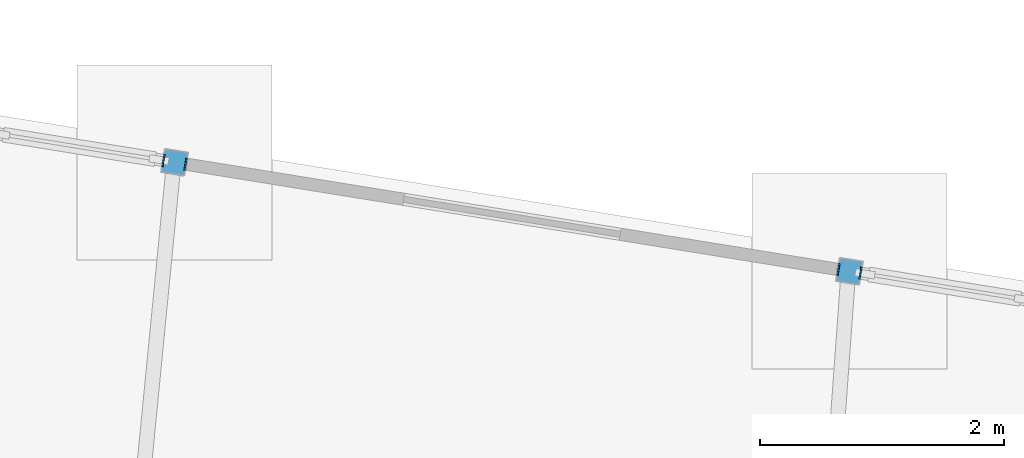
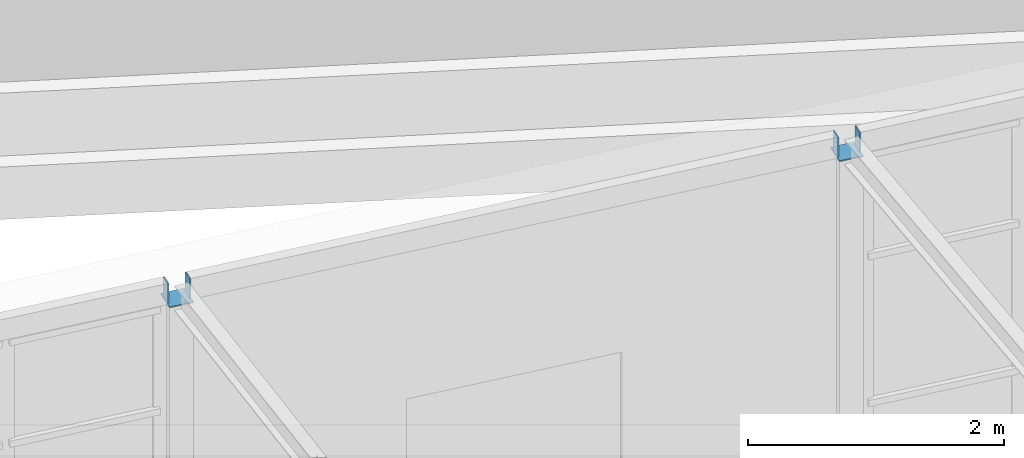
# One storey, part 207 of 226: 6 discrete accessories.
"""IFC4 building model written with IfcOpenShell, lengths in metres."""

from ifc_helpers import new_model, si_unit, direction, frame, origin, origin_2d, place, context, subcontext, project, spatial, rectangle, extrude, material, material_profile, profile_set, type_object, element, save


model = new_model("IFC4")

# Units and contexts
model_context = context("Model", 3, precision=1e-05, world=origin(), true_north=direction((0.0, 1.0)))
body_context = subcontext(model_context, "Body", "Model", "MODEL_VIEW")
ifc_project = project(units=[si_unit("LENGTHUNIT", "METRE"), si_unit("AREAUNIT", "SQUARE_METRE"), si_unit("VOLUMEUNIT", "CUBIC_METRE"), si_unit("PLANEANGLEUNIT", "RADIAN"), si_unit("MASSUNIT", "GRAM", prefix="KILO")], contexts=[model_context])

# Site, building, storey
site_placement = place(None, origin())
site = spatial("IfcSite", under=ifc_project, at=site_placement, CompositionType="ELEMENT")
building_placement = place(site_placement, origin())
building = spatial("IfcBuilding", under=site, at=building_placement, Name="Ceibo Conservatory and Research Tower", CompositionType="ELEMENT")
storey_placement = place(building_placement, origin())
storey = spatial("IfcBuildingStorey", under=building, at=storey_placement, Name="L00", CompositionType="ELEMENT", Elevation=0.0)

# Discrete accessories
ifc_material = material(Name="Steel S355J2", Category="steel")
ifc_material_profile_1 = material_profile(ifc_material, rectangle(XDim=0.10009765625, YDim=0.199951171875, at=origin_2d()), Name="End plate PL 200x100x8")
ifc_profile_set_1 = profile_set([ifc_material_profile_1], Name="Steel S355J2")
discrete_accessory_type_1 = type_object("IfcDiscreteAccessoryType", Name="End plate PL 200x100x8", PredefinedType="USERDEFINED", material=ifc_profile_set_1)
for number, where, z_axis, x_axis, name in (
    (1, (98.369140625, 113.455322265625, 3.89990234375), (-0.98573642551, 0.168296462892, 0.0), (-0.168296462892, -0.98573642551, 0.0), "Gallery edge beam A-RT-EBS04 end plate"),
    (2, (98.1875, 113.484619140625, 3.89990234375), (-0.98573642551, 0.168296462892, 0.0), (-0.168296462892, -0.98573642551, 0.0), "Gallery edge beam A-RT-EBS05 end plate"),
    (3, (92.836181640625, 114.3486328125, 3.89990234375), (-0.98573642551, 0.168296462892, 0.0), (-0.168296462892, -0.98573642551, 0.0), "Gallery edge beam A-RT-EBS05 end plate"),
    (4, (92.654541015625, 114.3779296875, 3.89990234375), (-0.98573642551, 0.168296462892, 0.0), (-0.168296462892, -0.98573642551, 0.0), "Gallery edge beam A-RT-EBS06 end plate"),
):
    element("IfcDiscreteAccessory", number, at=place(storey_placement, frame(where, z_axis=z_axis, x_axis=x_axis)), inside=storey, type_object=discrete_accessory_type_1, Name=name, ObjectType="End plate", PredefinedType="USERDEFINED", context=body_context, shape_type="SweptSolid", body=[
        extrude(rectangle(XDim=0.10009765625, YDim=0.199951171875, at=origin_2d()), origin(), (0.0, 0.0, 1.0), 0.01025390625),
    ])
ifc_material_profile_2 = material_profile(ifc_material, rectangle(XDim=0.199951171875, YDim=0.199951171875, at=origin_2d()), Name="End plate PL 200x200x10")
ifc_profile_set_2 = profile_set([ifc_material_profile_2], Name="Steel S355J2")
discrete_accessory_type_2 = type_object("IfcDiscreteAccessoryType", Name="End plate PL 200x200x10", PredefinedType="USERDEFINED", material=ifc_profile_set_2)
for number, where, z_axis, x_axis, name in (
    (5, (98.2734375, 113.470947265625, 3.798095703125), (0.0, 0.0, 1.0), (-0.987215515464, 0.159391110254, 0.0), "Gallery column A-RT-CS04 end plate"),
    (6, (92.740478515625, 114.3642578125, 3.798095703125), (0.0, 0.0, 1.0), (-0.987215515464, 0.159391110254, 0.0), "Gallery column A-RT-CS05 end plate"),
):
    element("IfcDiscreteAccessory", number, at=place(storey_placement, frame(where, z_axis=z_axis, x_axis=x_axis)), inside=storey, type_object=discrete_accessory_type_2, Name=name, ObjectType="End plate", PredefinedType="USERDEFINED", context=body_context, shape_type="SweptSolid", body=[
        extrude(rectangle(XDim=0.199951171875, YDim=0.199951171875, at=origin_2d()), origin(), (0.0, 0.0, 1.0), 0.011962890625),
    ])

save(model, "model.ifc")
